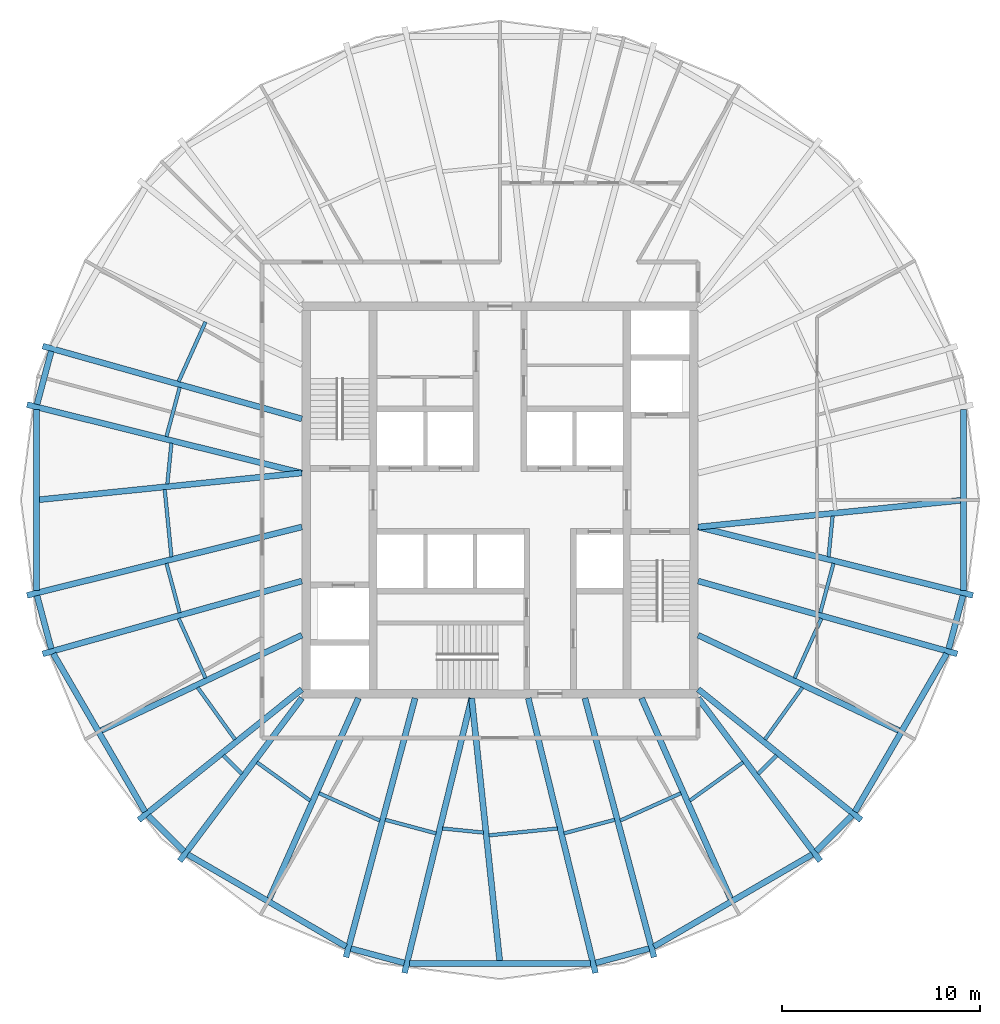
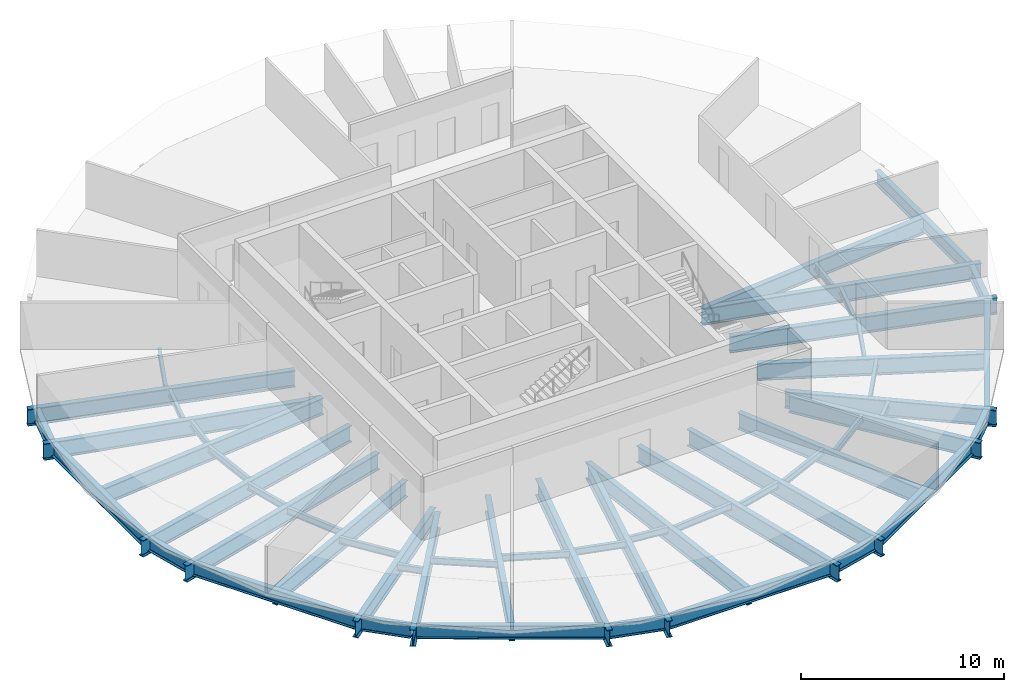
# One storey, part 1 of 6: 56 beams.
"""IFC4 building model written with IfcOpenShell, lengths in metres."""

from ifc_helpers import new_model, si_unit, direction, frame, origin, origin_2d, place, context, subcontext, project, spatial, i_section, extrude, material, material_profile, profile_set, type_object, element, save


model = new_model("IFC4")

# Units and contexts
model_context = context("Model", 3, precision=1e-05, world=origin(), true_north=direction((0.0, 1.0)))
body_context = subcontext(model_context, "Body", "Model", "MODEL_VIEW")
ifc_project = project(units=[si_unit("LENGTHUNIT", "METRE"), si_unit("AREAUNIT", "SQUARE_METRE"), si_unit("VOLUMEUNIT", "CUBIC_METRE"), si_unit("PLANEANGLEUNIT", "RADIAN"), si_unit("MASSUNIT", "GRAM", prefix="KILO")], contexts=[model_context])

# Site, building, storey
site_placement = place(None, origin())
site = spatial("IfcSite", under=ifc_project, at=site_placement, CompositionType="ELEMENT")
building_placement = place(site_placement, origin())
building = spatial("IfcBuilding", under=site, at=building_placement, Name="Golbaran Civic Tower", CompositionType="ELEMENT")
storey_placement = place(building_placement, frame((0.0, 0.0, 163.0)))
storey = spatial("IfcBuildingStorey", under=building, at=storey_placement, Name="L39", CompositionType="ELEMENT", Elevation=163.0)

# Beams
ifc_material = material(Name="Steel S355", Category="steel")
ifc_material_profile_1 = material_profile(ifc_material, i_section(OverallWidth=0.300048828125, OverallDepth=0.800048828125, WebThickness=0.017578125, FlangeThickness=0.032958984375, FilletRadius=0.030029296875, at=origin_2d()), Name="HEB 800")
ifc_profile_set_1 = profile_set([ifc_material_profile_1], Name="Steel S355")
beam_type_1 = type_object("IfcBeamType", Name="EDGE BEAM HEB 800", PredefinedType="BEAM", material=ifc_profile_set_1)
beam_1_placement = place(storey_placement, frame((-22.643310546875, 7.510009765625, -0.60009765625), z_axis=(-0.258902839264, -0.965903369815, 0.0), x_axis=(0.965903369815, -0.258902839264, 0.0)))
element("IfcBeam", 1, at=beam_1_placement, inside=storey, type_object=beam_type_1, Name="Edge beam 161.47 L39", PredefinedType="BEAM", context=body_context, shape_type="SweptSolid", body=[
    extrude(i_section(OverallWidth=0.300048828125, OverallDepth=0.800048828125, WebThickness=0.017578125, FlangeThickness=0.032958984375, FilletRadius=0.030029296875, at=origin_2d()), origin(), (0.0, 0.0, 1.0), 2.78076171875),
])
beam_2_placement = place(storey_placement, frame((-23.39697265625, 4.564453125, -0.60009765625), z_axis=(0.0, -1.0, 0.0), x_axis=(1.0, 0.0, 0.0)))
element("IfcBeam", 2, at=beam_2_placement, inside=storey, type_object=beam_type_1, Name="Edge beam 168.53 L39", PredefinedType="BEAM", context=body_context, shape_type="SweptSolid", body=[
    extrude(i_section(OverallWidth=0.300048828125, OverallDepth=0.800048828125, WebThickness=0.017578125, FlangeThickness=0.032958984375, FilletRadius=0.030029296875, at=origin_2d()), origin(), (0.0, 0.0, 1.0), 9.12890625),
])
beam_3_placement = place(storey_placement, frame((-23.36328125, -4.823974609375, -0.60009765625), z_axis=(0.258902839264, -0.965903369815, 0.0), x_axis=(0.965903369815, 0.258902839264, 0.0)))
element("IfcBeam", 3, at=beam_3_placement, inside=storey, type_object=beam_type_1, Name="Edge beam 191.47 L39", PredefinedType="BEAM", context=body_context, shape_type="SweptSolid", body=[
    extrude(i_section(OverallWidth=0.300048828125, OverallDepth=0.800048828125, WebThickness=0.017578125, FlangeThickness=0.032958984375, FilletRadius=0.030029296875, at=origin_2d()), origin(), (0.0, 0.0, 1.0), 2.78076171875),
])
beam_4_placement = place(storey_placement, frame((-22.542236328125, -7.751708984375, -0.60009765625), z_axis=(0.501920919178, -0.864913516423, 0.0), x_axis=(0.864913516423, 0.501920919178, 0.0)))
element("IfcBeam", 4, at=beam_4_placement, inside=storey, type_object=beam_type_1, Name="Edge beam 198.53 L39", PredefinedType="BEAM", context=body_context, shape_type="SweptSolid", body=[
    extrude(i_section(OverallWidth=0.300048828125, OverallDepth=0.800048828125, WebThickness=0.017578125, FlangeThickness=0.032958984375, FilletRadius=0.030029296875, at=origin_2d()), origin(), (0.0, 0.0, 1.0), 9.222412109375),
])
beam_5_placement = place(storey_placement, frame((-17.7548828125, -15.9345703125, -0.60009765625), z_axis=(0.706625789053, -0.70758744636, 0.0), x_axis=(0.70758744636, 0.706625789053, 0.0)))
element("IfcBeam", 5, at=beam_5_placement, inside=storey, type_object=beam_type_1, Name="Edge beam 221.47 L39", PredefinedType="BEAM", context=body_context, shape_type="SweptSolid", body=[
    extrude(i_section(OverallWidth=0.300048828125, OverallDepth=0.800048828125, WebThickness=0.017578125, FlangeThickness=0.032958984375, FilletRadius=0.030029296875, at=origin_2d()), origin(), (0.0, 0.0, 1.0), 2.538818359375),
])
beam_6_placement = place(storey_placement, frame((-15.755126953125, -17.889892578125, -0.60009765625), z_axis=(0.864394259944, -0.50281464117, 0.0), x_axis=(0.50281464117, 0.864394259944, 0.0)))
element("IfcBeam", 6, at=beam_6_placement, inside=storey, type_object=beam_type_1, Name="Edge beam 228.53 L39", PredefinedType="BEAM", context=body_context, shape_type="SweptSolid", body=[
    extrude(i_section(OverallWidth=0.300048828125, OverallDepth=0.800048828125, WebThickness=0.017578125, FlangeThickness=0.032958984375, FilletRadius=0.030029296875, at=origin_2d()), origin(), (0.0, 0.0, 1.0), 9.242919921875),
])
beam_7_placement = place(storey_placement, frame((-7.5234375, -22.638671875, -0.60009765625), z_axis=(0.965792082817, -0.259317667675, 0.0), x_axis=(0.259317667675, 0.965792082817, 0.0)))
element("IfcBeam", 7, at=beam_7_placement, inside=storey, type_object=beam_type_1, Name="Edge beam 251.47 L39", PredefinedType="BEAM", context=body_context, shape_type="SweptSolid", body=[
    extrude(i_section(OverallWidth=0.300048828125, OverallDepth=0.800048828125, WebThickness=0.017578125, FlangeThickness=0.032958984375, FilletRadius=0.030029296875, at=origin_2d()), origin(), (0.0, 0.0, 1.0), 2.79052734375),
])
beam_8_placement = place(storey_placement, frame((-4.569091796875, -23.39599609375, -0.60009765625), z_axis=(1.0, 0.0, 0.0), x_axis=(0.0, 1.0, 0.0)))
element("IfcBeam", 8, at=beam_8_placement, inside=storey, type_object=beam_type_1, Name="Edge beam 258.53 L39", PredefinedType="BEAM", context=body_context, shape_type="SweptSolid", body=[
    extrude(i_section(OverallWidth=0.300048828125, OverallDepth=0.800048828125, WebThickness=0.017578125, FlangeThickness=0.032958984375, FilletRadius=0.030029296875, at=origin_2d()), origin(), (0.0, 0.0, 1.0), 9.13818359375),
])
beam_9_placement = place(storey_placement, frame((4.828369140625, -23.3623046875, -0.60009765625), z_axis=(0.965792082817, 0.259317667675, 0.0), x_axis=(-0.259317667675, 0.965792082817, 0.0)))
element("IfcBeam", 9, at=beam_9_placement, inside=storey, type_object=beam_type_1, Name="Edge beam 281.47 L39", PredefinedType="BEAM", context=body_context, shape_type="SweptSolid", body=[
    extrude(i_section(OverallWidth=0.300048828125, OverallDepth=0.800048828125, WebThickness=0.017578125, FlangeThickness=0.032958984375, FilletRadius=0.030029296875, at=origin_2d()), origin(), (0.0, 0.0, 1.0), 2.79052734375),
])
beam_10_placement = place(storey_placement, frame((7.765625, -22.537353515625, -0.60009765625), z_axis=(0.864394259944, 0.50281464117, 0.0), x_axis=(-0.50281464117, 0.864394259944, 0.0)))
element("IfcBeam", 10, at=beam_10_placement, inside=storey, type_object=beam_type_1, Name="Edge beam 288.53 L39", PredefinedType="BEAM", context=body_context, shape_type="SweptSolid", body=[
    extrude(i_section(OverallWidth=0.300048828125, OverallDepth=0.800048828125, WebThickness=0.017578125, FlangeThickness=0.032958984375, FilletRadius=0.030029296875, at=origin_2d()), origin(), (0.0, 0.0, 1.0), 9.242919921875),
])
beam_11_placement = place(storey_placement, frame((15.9609375, -17.73095703125, -0.60009765625), z_axis=(0.706625789053, 0.70758744636, 0.0), x_axis=(-0.70758744636, 0.706625789053, 0.0)))
element("IfcBeam", 11, at=beam_11_placement, inside=storey, type_object=beam_type_1, Name="Edge beam 311.47 L39", PredefinedType="BEAM", context=body_context, shape_type="SweptSolid", body=[
    extrude(i_section(OverallWidth=0.300048828125, OverallDepth=0.800048828125, WebThickness=0.017578125, FlangeThickness=0.032958984375, FilletRadius=0.030029296875, at=origin_2d()), origin(), (0.0, 0.0, 1.0), 2.538818359375),
])
beam_12_placement = place(storey_placement, frame((17.913330078125, -15.728271484375, -0.60009765625), z_axis=(0.501920919178, 0.864913516423, 0.0), x_axis=(-0.864913516423, 0.501920919178, 0.0)))
element("IfcBeam", 12, at=beam_12_placement, inside=storey, type_object=beam_type_1, Name="Edge beam 318.53 L39", PredefinedType="BEAM", context=body_context, shape_type="SweptSolid", body=[
    extrude(i_section(OverallWidth=0.300048828125, OverallDepth=0.800048828125, WebThickness=0.017578125, FlangeThickness=0.032958984375, FilletRadius=0.030029296875, at=origin_2d()), origin(), (0.0, 0.0, 1.0), 9.222412109375),
])
beam_13_placement = place(storey_placement, frame((22.643310546875, -7.510009765625, -0.60009765625), z_axis=(0.258902839264, 0.965903369815, 0.0), x_axis=(-0.965903369815, 0.258902839264, 0.0)))
element("IfcBeam", 13, at=beam_13_placement, inside=storey, type_object=beam_type_1, Name="Edge beam 341.47 L39", PredefinedType="BEAM", context=body_context, shape_type="SweptSolid", body=[
    extrude(i_section(OverallWidth=0.300048828125, OverallDepth=0.800048828125, WebThickness=0.017578125, FlangeThickness=0.032958984375, FilletRadius=0.030029296875, at=origin_2d()), origin(), (0.0, 0.0, 1.0), 2.78076171875),
])
beam_14_placement = place(storey_placement, frame((23.39697265625, -4.564453125, -0.60009765625), z_axis=(0.0, 1.0, 0.0), x_axis=(-1.0, 0.0, 0.0)))
element("IfcBeam", 14, at=beam_14_placement, inside=storey, type_object=beam_type_1, Name="Edge beam 348.53 L39", PredefinedType="BEAM", context=body_context, shape_type="SweptSolid", body=[
    extrude(i_section(OverallWidth=0.300048828125, OverallDepth=0.800048828125, WebThickness=0.017578125, FlangeThickness=0.032958984375, FilletRadius=0.030029296875, at=origin_2d()), origin(), (0.0, 0.0, 1.0), 9.12890625),
])
ifc_material_profile_2 = material_profile(ifc_material, i_section(OverallWidth=0.179931640625, OverallDepth=0.39990234375, WebThickness=0.008544921875, FlangeThickness=0.013427734375, FilletRadius=0.02099609375, at=origin_2d()), Name="IPE 400")
ifc_profile_set_2 = profile_set([ifc_material_profile_2], Name="Steel S355")
beam_type_2 = type_object("IfcBeamType", Name="FLOOR INFILL BEAM IPE 400", PredefinedType="BEAM", material=ifc_profile_set_2)
beam_15_placement = place(storey_placement, frame((-14.859619140625, 8.986572265625, -0.39990234375), z_axis=(-0.410939176761, -0.91166276276, 0.0), x_axis=(0.91166276276, -0.410939176761, 0.0)))
element("IfcBeam", 15, at=beam_15_placement, inside=storey, type_object=beam_type_2, Name="Infill beam 155.73 L39", PredefinedType="BEAM", context=body_context, shape_type="SweptSolid", body=[
    extrude(i_section(OverallWidth=0.179931640625, OverallDepth=0.39990234375, WebThickness=0.008544921875, FlangeThickness=0.013427734375, FilletRadius=0.02099609375, at=origin_2d()), origin(), (0.0, 0.0, 1.0), 3.3037109375),
])
beam_16_placement = place(storey_placement, frame((-16.162353515625, 5.689208984375, -0.39990234375), z_axis=(-0.258805482588, -0.965929460252, 0.0), x_axis=(0.965929460252, -0.258805482588, 0.0)))
element("IfcBeam", 16, at=beam_16_placement, inside=storey, type_object=beam_type_2, Name="Infill beam 165.00 L39", PredefinedType="BEAM", context=body_context, shape_type="SweptSolid", body=[
    extrude(i_section(OverallWidth=0.179931640625, OverallDepth=0.39990234375, WebThickness=0.008544921875, FlangeThickness=0.013427734375, FilletRadius=0.02099609375, at=origin_2d()), origin(), (0.0, 0.0, 1.0), 2.5791015625),
])
beam_17_placement = place(storey_placement, frame((-16.578857421875, 2.86767578125, -0.39990234375), z_axis=(-0.099934920778, -0.994993975665, 0.0), x_axis=(0.994993975665, -0.099934920778, 0.0)))
element("IfcBeam", 17, at=beam_17_placement, inside=storey, type_object=beam_type_2, Name="Infill beam 174.27 L39", PredefinedType="BEAM", context=body_context, shape_type="SweptSolid", body=[
    extrude(i_section(OverallWidth=0.179931640625, OverallDepth=0.39990234375, WebThickness=0.008544921875, FlangeThickness=0.013427734375, FilletRadius=0.02099609375, at=origin_2d()), origin(), (0.0, 0.0, 1.0), 2.07421875),
])
beam_18_placement = place(storey_placement, frame((-16.919921875, 0.52880859375, -0.39990234375), z_axis=(0.099914423498, -0.994996034151, 0.0), x_axis=(0.994996034151, 0.099914423498, 0.0)))
element("IfcBeam", 18, at=beam_18_placement, inside=storey, type_object=beam_type_2, Name="Infill beam 185.73 L39", PredefinedType="BEAM", context=body_context, shape_type="SweptSolid", body=[
    extrude(i_section(OverallWidth=0.179931640625, OverallDepth=0.39990234375, WebThickness=0.008544921875, FlangeThickness=0.013427734375, FilletRadius=0.02099609375, at=origin_2d()), origin(), (0.0, 0.0, 1.0), 3.41357421875),
])
beam_19_placement = place(storey_placement, frame((-16.829833984375, -3.197998046875, -0.39990234375), z_axis=(0.258805482588, -0.965929460252, 0.0), x_axis=(0.965929460252, 0.258805482588, 0.0)))
element("IfcBeam", 19, at=beam_19_placement, inside=storey, type_object=beam_type_2, Name="Infill beam 195.00 L39", PredefinedType="BEAM", context=body_context, shape_type="SweptSolid", body=[
    extrude(i_section(OverallWidth=0.179931640625, OverallDepth=0.39990234375, WebThickness=0.008544921875, FlangeThickness=0.013427734375, FilletRadius=0.02099609375, at=origin_2d()), origin(), (0.0, 0.0, 1.0), 2.5791015625),
])
beam_20_placement = place(storey_placement, frame((-16.21728515625, -5.974609375, -0.39990234375), z_axis=(0.410939176761, -0.91166276276, 0.0), x_axis=(0.91166276276, 0.410939176761, 0.0)))
element("IfcBeam", 20, at=beam_20_placement, inside=storey, type_object=beam_type_2, Name="Infill beam 204.27 L39", PredefinedType="BEAM", context=body_context, shape_type="SweptSolid", body=[
    extrude(i_section(OverallWidth=0.179931640625, OverallDepth=0.39990234375, WebThickness=0.008544921875, FlangeThickness=0.013427734375, FilletRadius=0.02099609375, at=origin_2d()), origin(), (0.0, 0.0, 1.0), 3.3037109375),
])
beam_21_placement = place(storey_placement, frame((-15.25537109375, -9.462646484375, -0.39990234375), z_axis=(0.584051815439, -0.811716377119, 0.0), x_axis=(0.811716377119, 0.584051815439, 0.0)))
element("IfcBeam", 21, at=beam_21_placement, inside=storey, type_object=beam_type_2, Name="Infill beam 215.73 L39", PredefinedType="BEAM", context=body_context, shape_type="SweptSolid", body=[
    extrude(i_section(OverallWidth=0.179931640625, OverallDepth=0.39990234375, WebThickness=0.008544921875, FlangeThickness=0.013427734375, FilletRadius=0.02099609375, at=origin_2d()), origin(), (0.0, 0.0, 1.0), 3.22998046875),
])
beam_22_placement = place(storey_placement, frame((-13.95654296875, -12.888916015625, -0.39990234375), z_axis=(0.707199607806, -0.70701394238, 0.0), x_axis=(0.70701394238, 0.707199607806, 0.0)))
element("IfcBeam", 22, at=beam_22_placement, inside=storey, type_object=beam_type_2, Name="Infill beam 225.00 L39", PredefinedType="BEAM", context=body_context, shape_type="SweptSolid", body=[
    extrude(i_section(OverallWidth=0.179931640625, OverallDepth=0.39990234375, WebThickness=0.008544921875, FlangeThickness=0.013427734375, FilletRadius=0.02099609375, at=origin_2d()), origin(), (0.0, 0.0, 1.0), 1.31494140625),
])
beam_23_placement = place(storey_placement, frame((-12.264892578125, -13.236328125, -0.39990234375), z_axis=(0.8116994487, -0.58407534187, 0.0), x_axis=(0.58407534187, 0.8116994487, 0.0)))
element("IfcBeam", 23, at=beam_23_placement, inside=storey, type_object=beam_type_2, Name="Infill beam 234.27 L39", PredefinedType="BEAM", context=body_context, shape_type="SweptSolid", body=[
    extrude(i_section(OverallWidth=0.179931640625, OverallDepth=0.39990234375, WebThickness=0.008544921875, FlangeThickness=0.013427734375, FilletRadius=0.02099609375, at=origin_2d()), origin(), (0.0, 0.0, 1.0), 3.308837890625),
])
beam_24_placement = place(storey_placement, frame((-9.12890625, -14.795654296875, -0.39990234375), z_axis=(0.911639648441, -0.410990451702, 0.0), x_axis=(0.410990451702, 0.911639648441, 0.0)))
element("IfcBeam", 24, at=beam_24_placement, inside=storey, type_object=beam_type_2, Name="Infill beam 245.73 L39", PredefinedType="BEAM", context=body_context, shape_type="SweptSolid", body=[
    extrude(i_section(OverallWidth=0.179931640625, OverallDepth=0.39990234375, WebThickness=0.008544921875, FlangeThickness=0.013427734375, FilletRadius=0.02099609375, at=origin_2d()), origin(), (0.0, 0.0, 1.0), 3.357421875),
])
beam_25_placement = place(storey_placement, frame((-5.788330078125, -16.1357421875, -0.39990234375), z_axis=(0.965928304125, -0.258809797517, 0.0), x_axis=(0.258809797517, 0.965928304125, 0.0)))
element("IfcBeam", 25, at=beam_25_placement, inside=storey, type_object=beam_type_2, Name="Infill beam 255.00 L39", PredefinedType="BEAM", context=body_context, shape_type="SweptSolid", body=[
    extrude(i_section(OverallWidth=0.179931640625, OverallDepth=0.39990234375, WebThickness=0.008544921875, FlangeThickness=0.013427734375, FilletRadius=0.02099609375, at=origin_2d()), origin(), (0.0, 0.0, 1.0), 2.64892578125),
])
beam_26_placement = place(storey_placement, frame((-2.90185546875, -16.574951171875, -0.39990234375), z_axis=(0.994992852472, -0.09994610312, 0.0), x_axis=(0.09994610312, 0.994992852472, 0.0)))
element("IfcBeam", 26, at=beam_26_placement, inside=storey, type_object=beam_type_2, Name="Infill beam 264.27 L39", PredefinedType="BEAM", context=body_context, shape_type="SweptSolid", body=[
    extrude(i_section(OverallWidth=0.179931640625, OverallDepth=0.39990234375, WebThickness=0.008544921875, FlangeThickness=0.013427734375, FilletRadius=0.02099609375, at=origin_2d()), origin(), (0.0, 0.0, 1.0), 2.076416015625),
])
beam_27_placement = place(storey_placement, frame((-0.5595703125, -16.922607421875, -0.39990234375), z_axis=(0.994994016941, 0.099934509813, 0.0), x_axis=(-0.099934509813, 0.994994016941, 0.0)))
element("IfcBeam", 27, at=beam_27_placement, inside=storey, type_object=beam_type_2, Name="Infill beam 275.73 L39", PredefinedType="BEAM", context=body_context, shape_type="SweptSolid", body=[
    extrude(i_section(OverallWidth=0.179931640625, OverallDepth=0.39990234375, WebThickness=0.008544921875, FlangeThickness=0.013427734375, FilletRadius=0.02099609375, at=origin_2d()), origin(), (0.0, 0.0, 1.0), 3.478759765625),
])
beam_28_placement = place(storey_placement, frame((3.229736328125, -16.8212890625, -0.39990234375), z_axis=(0.965928304125, 0.258809797517, 0.0), x_axis=(-0.258809797517, 0.965928304125, 0.0)))
element("IfcBeam", 28, at=beam_28_placement, inside=storey, type_object=beam_type_2, Name="Infill beam 285.00 L39", PredefinedType="BEAM", context=body_context, shape_type="SweptSolid", body=[
    extrude(i_section(OverallWidth=0.179931640625, OverallDepth=0.39990234375, WebThickness=0.008544921875, FlangeThickness=0.013427734375, FilletRadius=0.02099609375, at=origin_2d()), origin(), (0.0, 0.0, 1.0), 2.64892578125),
])
beam_29_placement = place(storey_placement, frame((6.068115234375, -16.175537109375, -0.39990234375), z_axis=(0.911639648441, 0.410990451702, 0.0), x_axis=(-0.410990451702, 0.911639648441, 0.0)))
element("IfcBeam", 29, at=beam_29_placement, inside=storey, type_object=beam_type_2, Name="Infill beam 294.27 L39", PredefinedType="BEAM", context=body_context, shape_type="SweptSolid", body=[
    extrude(i_section(OverallWidth=0.179931640625, OverallDepth=0.39990234375, WebThickness=0.008544921875, FlangeThickness=0.013427734375, FilletRadius=0.02099609375, at=origin_2d()), origin(), (0.0, 0.0, 1.0), 3.357421875),
])
beam_30_placement = place(storey_placement, frame((9.5791015625, -15.1689453125, -0.39990234375), z_axis=(0.8116994487, 0.58407534187, 0.0), x_axis=(-0.58407534187, 0.8116994487, 0.0)))
element("IfcBeam", 30, at=beam_30_placement, inside=storey, type_object=beam_type_2, Name="Infill beam 305.73 L39", PredefinedType="BEAM", context=body_context, shape_type="SweptSolid", body=[
    extrude(i_section(OverallWidth=0.179931640625, OverallDepth=0.39990234375, WebThickness=0.008544921875, FlangeThickness=0.013427734375, FilletRadius=0.02099609375, at=origin_2d()), origin(), (0.0, 0.0, 1.0), 3.308837890625),
])
beam_31_placement = place(storey_placement, frame((13.026611328125, -13.818603515625, -0.39990234375), z_axis=(0.707199607806, 0.70701394238, 0.0), x_axis=(-0.70701394238, 0.707199607806, 0.0)))
element("IfcBeam", 31, at=beam_31_placement, inside=storey, type_object=beam_type_2, Name="Infill beam 315.00 L39", PredefinedType="BEAM", context=body_context, shape_type="SweptSolid", body=[
    extrude(i_section(OverallWidth=0.179931640625, OverallDepth=0.39990234375, WebThickness=0.008544921875, FlangeThickness=0.013427734375, FilletRadius=0.02099609375, at=origin_2d()), origin(), (0.0, 0.0, 1.0), 1.31494140625),
])
beam_32_placement = place(storey_placement, frame((13.368896484375, -12.08447265625, -0.39990234375), z_axis=(0.584051815439, 0.811716377119, 0.0), x_axis=(-0.811716377119, 0.584051815439, 0.0)))
element("IfcBeam", 32, at=beam_32_placement, inside=storey, type_object=beam_type_2, Name="Infill beam 324.27 L39", PredefinedType="BEAM", context=body_context, shape_type="SweptSolid", body=[
    extrude(i_section(OverallWidth=0.179931640625, OverallDepth=0.39990234375, WebThickness=0.008544921875, FlangeThickness=0.013427734375, FilletRadius=0.02099609375, at=origin_2d()), origin(), (0.0, 0.0, 1.0), 3.22998046875),
])
beam_33_placement = place(storey_placement, frame((14.859619140625, -8.986572265625, -0.39990234375), z_axis=(0.410939176761, 0.91166276276, 0.0), x_axis=(-0.91166276276, 0.410939176761, 0.0)))
element("IfcBeam", 33, at=beam_33_placement, inside=storey, type_object=beam_type_2, Name="Infill beam 335.73 L39", PredefinedType="BEAM", context=body_context, shape_type="SweptSolid", body=[
    extrude(i_section(OverallWidth=0.179931640625, OverallDepth=0.39990234375, WebThickness=0.008544921875, FlangeThickness=0.013427734375, FilletRadius=0.02099609375, at=origin_2d()), origin(), (0.0, 0.0, 1.0), 3.3037109375),
])
beam_34_placement = place(storey_placement, frame((16.162353515625, -5.689208984375, -0.39990234375), z_axis=(0.258805482588, 0.965929460252, 0.0), x_axis=(-0.965929460252, 0.258805482588, 0.0)))
element("IfcBeam", 34, at=beam_34_placement, inside=storey, type_object=beam_type_2, Name="Infill beam 345.00 L39", PredefinedType="BEAM", context=body_context, shape_type="SweptSolid", body=[
    extrude(i_section(OverallWidth=0.179931640625, OverallDepth=0.39990234375, WebThickness=0.008544921875, FlangeThickness=0.013427734375, FilletRadius=0.02099609375, at=origin_2d()), origin(), (0.0, 0.0, 1.0), 2.5791015625),
])
beam_35_placement = place(storey_placement, frame((16.578857421875, -2.86767578125, -0.39990234375), z_axis=(0.099934920778, 0.994993975665, 0.0), x_axis=(-0.994993975665, 0.099934920778, 0.0)))
element("IfcBeam", 35, at=beam_35_placement, inside=storey, type_object=beam_type_2, Name="Infill beam 354.27 L39", PredefinedType="BEAM", context=body_context, shape_type="SweptSolid", body=[
    extrude(i_section(OverallWidth=0.179931640625, OverallDepth=0.39990234375, WebThickness=0.008544921875, FlangeThickness=0.013427734375, FilletRadius=0.02099609375, at=origin_2d()), origin(), (0.0, 0.0, 1.0), 2.07421875),
])
ifc_material_profile_3 = material_profile(ifc_material, i_section(OverallWidth=0.300048828125, OverallDepth=1.0, WebThickness=0.01904296875, FlangeThickness=0.035888671875, FilletRadius=0.030029296875, at=origin_2d()), Name="HEB 1000")
ifc_profile_set_3 = profile_set([ifc_material_profile_3], Name="Steel S355")
beam_type_3 = type_object("IfcBeamType", Name="RADIAL FLOOR BEAM HEB 1000", PredefinedType="BEAM", material=ifc_profile_set_3)
beam_36_placement = place(storey_placement, frame((-10.0, 4.0927734375, -0.7099609375), z_axis=(-0.962724846048, 0.270482662664, 0.0), x_axis=(-0.270482662664, -0.962724846048, 0.0)))
element("IfcBeam", 36, at=beam_36_placement, inside=storey, type_object=beam_type_3, Name="Radial beam 161.47 L39", PredefinedType="BEAM", context=body_context, shape_type="SweptSolid", body=[
    extrude(i_section(OverallWidth=0.300048828125, OverallDepth=1.0, WebThickness=0.01904296875, FlangeThickness=0.035888671875, FilletRadius=0.030029296875, at=origin_2d()), origin(), (0.0, 0.0, 1.0), 13.58056640625),
])
for number, where, z_axis, x_axis, name in (
    (37, (-10.0, 1.3642578125, -0.7099609375), (-0.970401255901, 0.241498245429, 0.0), (-0.241498245429, -0.970401255901, 0.0), "Radial beam 168.53 L39"),
    (38, (-10.0, -1.3642578125, -0.7099609375), (-0.970401255901, -0.241498245429, 0.0), (0.241498245429, -0.970401255901, 0.0), "Radial beam 191.47 L39"),
):
    element("IfcBeam", number, at=place(storey_placement, frame(where, z_axis=z_axis, x_axis=x_axis)), inside=storey, type_object=beam_type_3, Name=name, PredefinedType="BEAM", context=body_context, shape_type="SweptSolid", body=[
        extrude(i_section(OverallWidth=0.300048828125, OverallDepth=1.0, WebThickness=0.01904296875, FlangeThickness=0.035888671875, FilletRadius=0.030029296875, at=origin_2d()), origin(), (0.0, 0.0, 1.0), 14.28857421875),
    ])
beam_37_placement = place(storey_placement, frame((-10.0, -4.0927734375, -0.7099609375), z_axis=(-0.962724846048, -0.270482662664, 0.0), x_axis=(0.270482662664, -0.962724846048, 0.0)))
element("IfcBeam", 39, at=beam_37_placement, inside=storey, type_object=beam_type_3, Name="Radial beam 198.53 L39", PredefinedType="BEAM", context=body_context, shape_type="SweptSolid", body=[
    extrude(i_section(OverallWidth=0.300048828125, OverallDepth=1.0, WebThickness=0.01904296875, FlangeThickness=0.035888671875, FilletRadius=0.030029296875, at=origin_2d()), origin(), (0.0, 0.0, 1.0), 13.58056640625),
])
beam_38_placement = place(storey_placement, frame((-10.0, -9.550048828125, -0.7099609375), z_axis=(-0.780181596802, -0.625553096077, 0.0), x_axis=(0.625553096077, -0.780181596802, 0.0)))
element("IfcBeam", 40, at=beam_38_placement, inside=storey, type_object=beam_type_3, Name="Radial beam 221.47 L39", PredefinedType="BEAM", context=body_context, shape_type="SweptSolid", body=[
    extrude(i_section(OverallWidth=0.300048828125, OverallDepth=1.0, WebThickness=0.01904296875, FlangeThickness=0.035888671875, FilletRadius=0.030029296875, at=origin_2d()), origin(), (0.0, 0.0, 1.0), 10.543701171875),
])
beam_39_placement = place(storey_placement, frame((-10.0, -10.0, -0.7099609375), z_axis=(-0.600015217841, -0.799988586393, 0.0), x_axis=(0.799988586393, -0.600015217841, 0.0)))
element("IfcBeam", 41, at=beam_39_placement, inside=storey, type_object=beam_type_3, Name="Radial beam 228.53 L39", PredefinedType="BEAM", context=body_context, shape_type="SweptSolid", body=[
    extrude(i_section(OverallWidth=0.300048828125, OverallDepth=1.0, WebThickness=0.01904296875, FlangeThickness=0.035888671875, FilletRadius=0.030029296875, at=origin_2d()), origin(), (0.0, 0.0, 1.0), 10.267578125),
])
beam_40_placement = place(storey_placement, frame((-4.28564453125, -10.0, -0.7099609375), z_axis=(-0.257816521023, -0.966193894354, 0.0), x_axis=(0.966193894354, -0.257816521023, 0.0)))
element("IfcBeam", 42, at=beam_40_placement, inside=storey, type_object=beam_type_3, Name="Radial beam 251.47 L39", PredefinedType="BEAM", context=body_context, shape_type="SweptSolid", body=[
    extrude(i_section(OverallWidth=0.300048828125, OverallDepth=1.0, WebThickness=0.01904296875, FlangeThickness=0.035888671875, FilletRadius=0.030029296875, at=origin_2d()), origin(), (0.0, 0.0, 1.0), 13.529052734375),
])
for number, where, z_axis, x_axis, name in (
    (43, (-1.428466796875, -10.0, -0.7099609375), (-0.237445199746, -0.971400935308, 0.0), (0.971400935308, -0.237445199746, 0.0), "Radial beam 258.53 L39"),
    (44, (1.428466796875, -10.0, -0.7099609375), (0.237445199746, -0.971400935308, 0.0), (0.971400935308, 0.237445199746, 0.0), "Radial beam 281.47 L39"),
):
    element("IfcBeam", number, at=place(storey_placement, frame(where, z_axis=z_axis, x_axis=x_axis)), inside=storey, type_object=beam_type_3, Name=name, PredefinedType="BEAM", context=body_context, shape_type="SweptSolid", body=[
        extrude(i_section(OverallWidth=0.300048828125, OverallDepth=1.0, WebThickness=0.01904296875, FlangeThickness=0.035888671875, FilletRadius=0.030029296875, at=origin_2d()), origin(), (0.0, 0.0, 1.0), 14.2734375),
    ])
beam_41_placement = place(storey_placement, frame((4.28564453125, -10.0, -0.7099609375), z_axis=(0.257816521023, -0.966193894354, 0.0), x_axis=(0.966193894354, 0.257816521023, 0.0)))
element("IfcBeam", 45, at=beam_41_placement, inside=storey, type_object=beam_type_3, Name="Radial beam 288.53 L39", PredefinedType="BEAM", context=body_context, shape_type="SweptSolid", body=[
    extrude(i_section(OverallWidth=0.300048828125, OverallDepth=1.0, WebThickness=0.01904296875, FlangeThickness=0.035888671875, FilletRadius=0.030029296875, at=origin_2d()), origin(), (0.0, 0.0, 1.0), 13.529052734375),
])
beam_42_placement = place(storey_placement, frame((10.0, -10.0, -0.7099609375), z_axis=(0.600015217841, -0.799988586393, 0.0), x_axis=(0.799988586393, 0.600015217841, 0.0)))
element("IfcBeam", 46, at=beam_42_placement, inside=storey, type_object=beam_type_3, Name="Radial beam 311.47 L39", PredefinedType="BEAM", context=body_context, shape_type="SweptSolid", body=[
    extrude(i_section(OverallWidth=0.300048828125, OverallDepth=1.0, WebThickness=0.01904296875, FlangeThickness=0.035888671875, FilletRadius=0.030029296875, at=origin_2d()), origin(), (0.0, 0.0, 1.0), 10.267578125),
])
beam_43_placement = place(storey_placement, frame((10.0, -9.550048828125, -0.7099609375), z_axis=(0.780181596802, -0.625553096077, 0.0), x_axis=(0.625553096077, 0.780181596802, 0.0)))
element("IfcBeam", 47, at=beam_43_placement, inside=storey, type_object=beam_type_3, Name="Radial beam 318.53 L39", PredefinedType="BEAM", context=body_context, shape_type="SweptSolid", body=[
    extrude(i_section(OverallWidth=0.300048828125, OverallDepth=1.0, WebThickness=0.01904296875, FlangeThickness=0.035888671875, FilletRadius=0.030029296875, at=origin_2d()), origin(), (0.0, 0.0, 1.0), 10.543701171875),
])
beam_44_placement = place(storey_placement, frame((10.0, -4.0927734375, -0.7099609375), z_axis=(0.962724846048, -0.270482662664, 0.0), x_axis=(0.270482662664, 0.962724846048, 0.0)))
element("IfcBeam", 48, at=beam_44_placement, inside=storey, type_object=beam_type_3, Name="Radial beam 341.47 L39", PredefinedType="BEAM", context=body_context, shape_type="SweptSolid", body=[
    extrude(i_section(OverallWidth=0.300048828125, OverallDepth=1.0, WebThickness=0.01904296875, FlangeThickness=0.035888671875, FilletRadius=0.030029296875, at=origin_2d()), origin(), (0.0, 0.0, 1.0), 13.58056640625),
])
beam_45_placement = place(storey_placement, frame((10.0, -1.3642578125, -0.7099609375), z_axis=(0.970401255901, -0.241498245429, 0.0), x_axis=(0.241498245429, 0.970401255901, 0.0)))
element("IfcBeam", 49, at=beam_45_placement, inside=storey, type_object=beam_type_3, Name="Radial beam 348.53 L39", PredefinedType="BEAM", context=body_context, shape_type="SweptSolid", body=[
    extrude(i_section(OverallWidth=0.300048828125, OverallDepth=1.0, WebThickness=0.01904296875, FlangeThickness=0.035888671875, FilletRadius=0.030029296875, at=origin_2d()), origin(), (0.0, 0.0, 1.0), 14.28857421875),
])
ifc_material_profile_4 = material_profile(ifc_material, i_section(OverallWidth=0.300048828125, OverallDepth=1.0, WebThickness=0.01904296875, FlangeThickness=0.035888671875, FilletRadius=0.030029296875, at=origin_2d()), Name="HEB 1000")
ifc_profile_set_4 = profile_set([ifc_material_profile_4], Name="Steel S355")
beam_type_4 = type_object("IfcBeamType", Name="SECONDARY FLOOR BEAM HEB 1000", PredefinedType="BEAM", material=ifc_profile_set_4)
for number, where, z_axis, x_axis, name in (
    (50, (10.0, -1.3642578125, -0.7099609375), (0.994854971572, 0.101309355635, 0.0), (-0.101309355635, 0.994854971572, 0.0), "Secondary beam 0.00 L39"),
    (51, (-10.0, 1.3642578125, -0.7099609375), (-0.994854971572, -0.101309355635, 0.0), (0.101309355635, -0.994854971572, 0.0), "Secondary beam 180.00 L39"),
):
    element("IfcBeam", number, at=place(storey_placement, frame(where, z_axis=z_axis, x_axis=x_axis)), inside=storey, type_object=beam_type_4, Name=name, PredefinedType="BEAM", context=body_context, shape_type="SweptSolid", body=[
        extrude(i_section(OverallWidth=0.300048828125, OverallDepth=1.0, WebThickness=0.01904296875, FlangeThickness=0.035888671875, FilletRadius=0.030029296875, at=origin_2d()), origin(), (0.0, 0.0, 1.0), 13.46630859375),
    ])
beam_46_placement = place(storey_placement, frame((-10.0, -6.821533203125, -0.7099609375), z_axis=(-0.903227076316, -0.429162962765, 0.0), x_axis=(0.429162962765, -0.903227076316, 0.0)))
element("IfcBeam", 52, at=beam_46_placement, inside=storey, type_object=beam_type_4, Name="Secondary beam 210.00 L39", PredefinedType="BEAM", context=body_context, shape_type="SweptSolid", body=[
    extrude(i_section(OverallWidth=0.300048828125, OverallDepth=1.0, WebThickness=0.01904296875, FlangeThickness=0.035888671875, FilletRadius=0.030029296875, at=origin_2d()), origin(), (0.0, 0.0, 1.0), 11.35302734375),
])
beam_47_placement = place(storey_placement, frame((-7.142822265625, -10.0, -0.7099609375), z_axis=(-0.405639599089, -0.914033104242, 0.0), x_axis=(0.914033104242, -0.405639599089, 0.0)))
element("IfcBeam", 53, at=beam_47_placement, inside=storey, type_object=beam_type_4, Name="Secondary beam 240.00 L39", PredefinedType="BEAM", context=body_context, shape_type="SweptSolid", body=[
    extrude(i_section(OverallWidth=0.300048828125, OverallDepth=1.0, WebThickness=0.01904296875, FlangeThickness=0.035888671875, FilletRadius=0.030029296875, at=origin_2d()), origin(), (0.0, 0.0, 1.0), 11.217041015625),
])
beam_48_placement = place(storey_placement, frame((-1.428466796875, -10.0, -0.7099609375), z_axis=(0.106032728424, -0.99436264034, 0.0), x_axis=(0.99436264034, 0.106032728424, 0.0)))
element("IfcBeam", 54, at=beam_48_placement, inside=storey, type_object=beam_type_4, Name="Secondary beam 270.00 L39", PredefinedType="BEAM", context=body_context, shape_type="SweptSolid", body=[
    extrude(i_section(OverallWidth=0.300048828125, OverallDepth=1.0, WebThickness=0.01904296875, FlangeThickness=0.035888671875, FilletRadius=0.030029296875, at=origin_2d()), origin(), (0.0, 0.0, 1.0), 13.471923828125),
])
beam_49_placement = place(storey_placement, frame((7.142822265625, -10.0, -0.7099609375), z_axis=(0.405639599089, -0.914033104242, 0.0), x_axis=(0.914033104242, 0.405639599089, 0.0)))
element("IfcBeam", 55, at=beam_49_placement, inside=storey, type_object=beam_type_4, Name="Secondary beam 300.00 L39", PredefinedType="BEAM", context=body_context, shape_type="SweptSolid", body=[
    extrude(i_section(OverallWidth=0.300048828125, OverallDepth=1.0, WebThickness=0.01904296875, FlangeThickness=0.035888671875, FilletRadius=0.030029296875, at=origin_2d()), origin(), (0.0, 0.0, 1.0), 11.217041015625),
])
beam_50_placement = place(storey_placement, frame((10.0, -6.821533203125, -0.7099609375), z_axis=(0.903227076316, -0.429162962765, 0.0), x_axis=(0.429162962765, 0.903227076316, 0.0)))
element("IfcBeam", 56, at=beam_50_placement, inside=storey, type_object=beam_type_4, Name="Secondary beam 330.00 L39", PredefinedType="BEAM", context=body_context, shape_type="SweptSolid", body=[
    extrude(i_section(OverallWidth=0.300048828125, OverallDepth=1.0, WebThickness=0.01904296875, FlangeThickness=0.035888671875, FilletRadius=0.030029296875, at=origin_2d()), origin(), (0.0, 0.0, 1.0), 11.35302734375),
])

save(model, "model.ifc")
